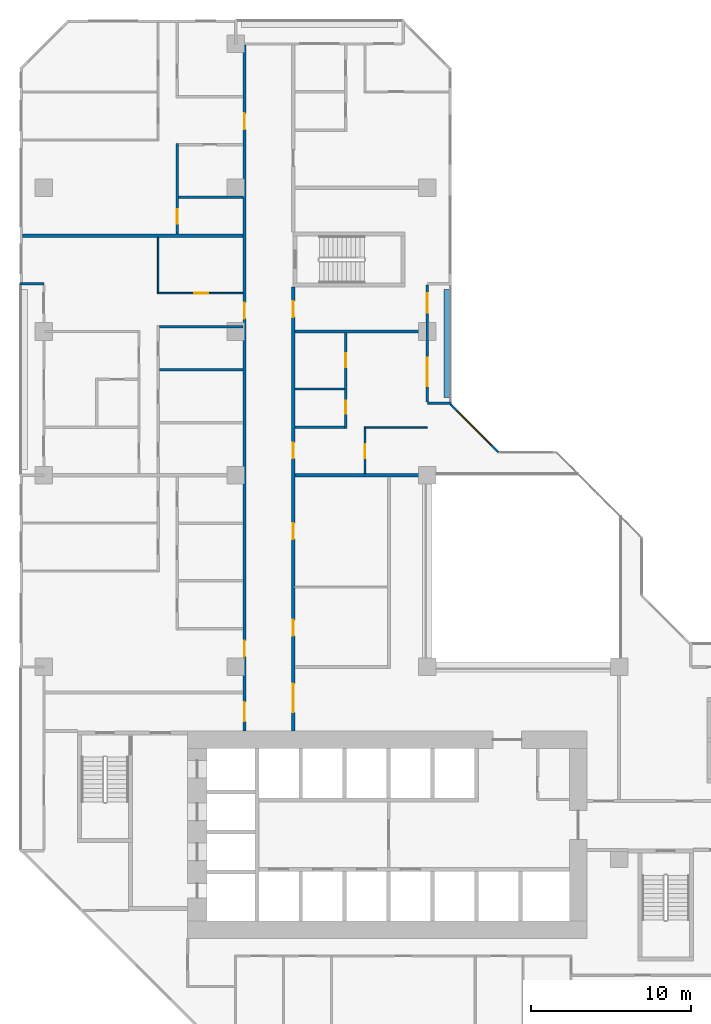
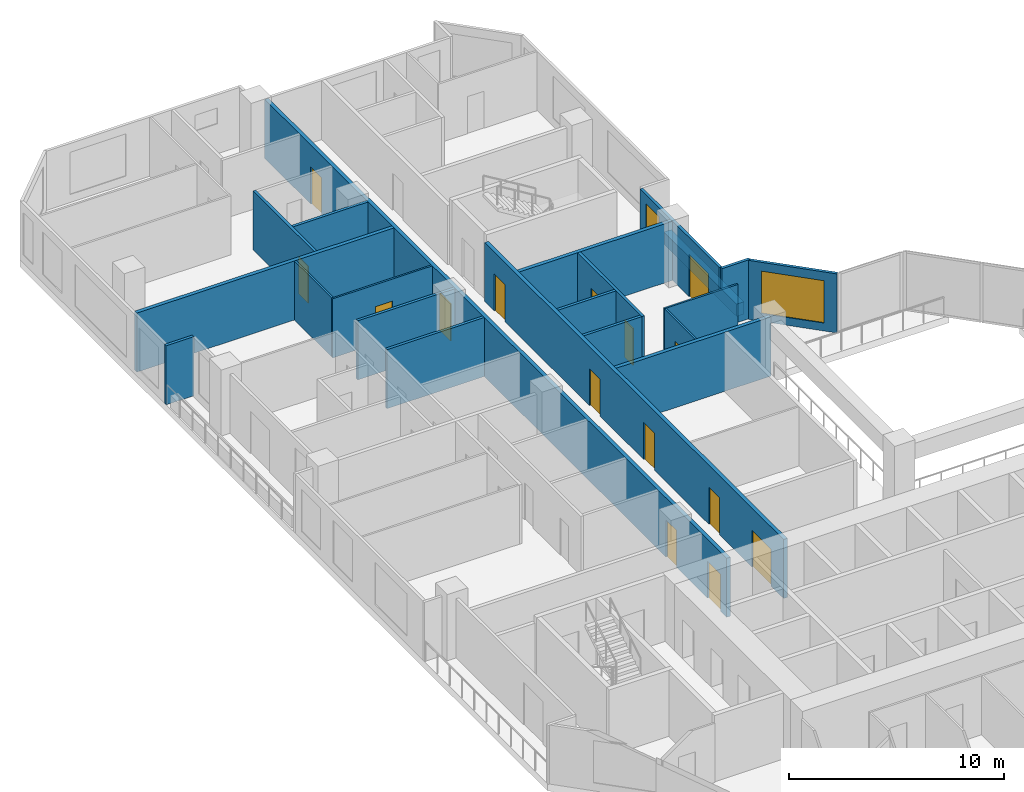
# One storey, part 9 of 15: 21 walls, 15 doors, 2 windows, 17 openings.
"""IFC4 building model written with IfcOpenShell, lengths in metres."""

from ifc_helpers import new_model, si_unit, direction, frame, frame_2d, origin, place, context, subcontext, project, spatial, rectangle, extrude, material, layer, layer_set, type_object, element, fill, save


model = new_model("IFC4")

# Units and contexts
model_context = context("Model", 3, precision=1e-05, world=origin(), true_north=direction((0.0, 1.0)))
body_context = subcontext(model_context, "Body", "Model", "MODEL_VIEW")
ifc_project = project(units=[si_unit("LENGTHUNIT", "METRE"), si_unit("AREAUNIT", "SQUARE_METRE"), si_unit("VOLUMEUNIT", "CUBIC_METRE"), si_unit("PLANEANGLEUNIT", "RADIAN"), si_unit("MASSUNIT", "GRAM", prefix="KILO")], contexts=[model_context])

# Site, building, storey
site_placement = place(None, origin())
site = spatial("IfcSite", under=ifc_project, at=site_placement, CompositionType="ELEMENT")
building_placement = place(site_placement, origin())
building = spatial("IfcBuilding", under=site, at=building_placement, Name="Chenar Terraces", CompositionType="ELEMENT")
storey_placement = place(building_placement, frame((0.0, 0.0, 45.14990234375)))
storey = spatial("IfcBuildingStorey", under=building, at=storey_placement, Name="L08", CompositionType="ELEMENT", Elevation=45.14990234375)

# Wall, openings, doors
ifc_material_1 = material(Name="Gypsum board on steel studs with fire boards", Category="steel")
ifc_layer_1 = layer(ifc_material_1, 0.199951171875)
ifc_layer_set_1 = layer_set([ifc_layer_1], Name="Gypsum board on steel studs with fire boards")
wall_type_1 = type_object("IfcWallType", Name="Corridor wall 200", PredefinedType="PARTITIONING", material=ifc_layer_set_1)
wall_1_placement = place(storey_placement, frame((12.550048828125, 20.0, 0.0), z_axis=(0.0, 0.0, 1.0), x_axis=(0.0, 1.0, 0.0)))
wall_1 = element("IfcWall", 1, at=wall_1_placement, inside=storey, type_object=wall_type_1, Name="Partition L08-036", PredefinedType="PARTITIONING", context=body_context, shape_type="SweptSolid", body=[
    extrude(rectangle(XDim=42.926025390625, YDim=0.199951171875, at=frame_2d((21.462890625, 0.0))), origin(), (0.0, 0.0, 1.0), 3.35009765625),
])
opening_1_placement = place(wall_1_placement, frame((25.800048828125, 0.0, 0.0)))
opening_1 = element("IfcOpeningElement", 2, at=opening_1_placement, cuts=wall_1, Name="Opening DL08-40", PredefinedType="OPENING", context=body_context, shape_type="SweptSolid", body=[
    extrude(rectangle(XDim=1.0, YDim=2.10009765625, at=frame_2d((0.5, 1.050048828125))), frame((0.0, 0.10986328125, 0.0), z_axis=(0.0, -1.0, 0.0), x_axis=(1.0, 0.0, 0.0)), (0.0, 0.0, 1.0), 0.219970703125),
])
opening_2_placement = place(wall_1_placement, frame((37.64990234375, 0.0, 0.0)))
opening_2 = element("IfcOpeningElement", 3, at=opening_2_placement, cuts=wall_1, Name="Opening DL08-46", PredefinedType="OPENING", context=body_context, shape_type="SweptSolid", body=[
    extrude(rectangle(XDim=1.0, YDim=2.10009765625, at=frame_2d((0.5, 1.050048828125))), frame((0.0, 0.10986328125, 0.0), z_axis=(0.0, -1.0, 0.0), x_axis=(1.0, 0.0, 0.0)), (0.0, 0.0, 1.0), 0.219970703125),
])
opening_3_placement = place(wall_1_placement, frame((0.60009765625, 0.0, 0.0)))
opening_3 = element("IfcOpeningElement", 4, at=opening_3_placement, cuts=wall_1, Name="Opening DL08-49", PredefinedType="OPENING", context=body_context, shape_type="SweptSolid", body=[
    extrude(rectangle(XDim=1.199951171875, YDim=2.10009765625, at=frame_2d((0.60009765625, 1.050048828125))), frame((0.0, 0.10986328125, 0.0), z_axis=(0.0, -1.0, 0.0), x_axis=(1.0, 0.0, 0.0)), (0.0, 0.0, 1.0), 0.219970703125),
])
opening_4_placement = place(wall_1_placement, frame((4.64990234375, 0.0, 0.0)))
opening_4 = element("IfcOpeningElement", 5, at=opening_4_placement, cuts=wall_1, Name="Opening DL08-69", PredefinedType="OPENING", context=body_context, shape_type="SweptSolid", body=[
    extrude(rectangle(XDim=1.0, YDim=2.10009765625, at=frame_2d((0.5, 1.050048828125))), frame((0.0, 0.10986328125, 0.0), z_axis=(0.0, -1.0, 0.0), x_axis=(1.0, 0.0, 0.0)), (0.0, 0.0, 1.0), 0.219970703125),
])
ifc_material_2 = material(Name="Steel-framed fire-resisting door leaf", Category="steel")
door_type_1 = type_object("IfcDoorType", Name="Fire door FD30S 1000 x 2100", OperationType="SINGLE_SWING_LEFT", PredefinedType="DOOR", material=ifc_material_2)
door_1_placement = place(opening_1_placement, origin())
door_1 = element("IfcDoor", 6, at=door_1_placement, inside=storey, type_object=door_type_1, Name="Door DL08-40", OperationType="SINGLE_SWING_LEFT", OverallHeight=2.10009765625, OverallWidth=1.0, PredefinedType="DOOR", context=body_context, shape_type="SweptSolid", body=[
    extrude(rectangle(XDim=1.0, YDim=2.10009765625, at=frame_2d((0.5, 1.050048828125))), frame((0.0, 0.02490234375, 0.0), z_axis=(0.0, -1.0, 0.0), x_axis=(1.0, 0.0, 0.0)), (0.0, 0.0, 1.0), 0.050048828125),
])
fill(opening_1, door_1)
door_2_placement = place(opening_2_placement, origin())
door_2 = element("IfcDoor", 7, at=door_2_placement, inside=storey, type_object=door_type_1, Name="Door DL08-46", OperationType="SINGLE_SWING_LEFT", OverallHeight=2.10009765625, OverallWidth=1.0, PredefinedType="DOOR", context=body_context, shape_type="SweptSolid", body=[
    extrude(rectangle(XDim=1.0, YDim=2.10009765625, at=frame_2d((0.5, 1.050048828125))), frame((0.0, 0.02490234375, 0.0), z_axis=(0.0, -1.0, 0.0), x_axis=(1.0, 0.0, 0.0)), (0.0, 0.0, 1.0), 0.050048828125),
])
fill(opening_2, door_2)
door_3_placement = place(opening_4_placement, origin())
door_3 = element("IfcDoor", 8, at=door_3_placement, inside=storey, type_object=door_type_1, Name="Door DL08-69", OperationType="SINGLE_SWING_LEFT", OverallHeight=2.10009765625, OverallWidth=1.0, PredefinedType="DOOR", context=body_context, shape_type="SweptSolid", body=[
    extrude(rectangle(XDim=1.0, YDim=2.10009765625, at=frame_2d((0.5, 1.050048828125))), frame((0.0, 0.02490234375, 0.0), z_axis=(0.0, -1.0, 0.0), x_axis=(1.0, 0.0, 0.0)), (0.0, 0.0, 1.0), 0.050048828125),
])
fill(opening_4, door_3)
ifc_material_3 = material(Name="Steel-framed fire-resisting door leaf", Category="steel")
door_type_2 = type_object("IfcDoorType", Name="Fire door FD30S 1200 x 2100", OperationType="SINGLE_SWING_LEFT", PredefinedType="DOOR", material=ifc_material_3)
door_4_placement = place(opening_3_placement, origin())
door_4 = element("IfcDoor", 9, at=door_4_placement, inside=storey, type_object=door_type_2, Name="Door DL08-49", OperationType="SINGLE_SWING_RIGHT", OverallHeight=2.10009765625, OverallWidth=1.199951171875, PredefinedType="DOOR", context=body_context, shape_type="SweptSolid", body=[
    extrude(rectangle(XDim=1.199951171875, YDim=2.10009765625, at=frame_2d((0.60009765625, 1.050048828125))), frame((0.0, 0.02490234375, 0.0), z_axis=(0.0, -1.0, 0.0), x_axis=(1.0, 0.0, 0.0)), (0.0, 0.0, 1.0), 0.050048828125),
])
fill(opening_3, door_4)

wall_2_placement = place(storey_placement, frame((15.60009765625, 20.0, 0.0), z_axis=(0.0, 0.0, 1.0), x_axis=(0.0, 1.0, 0.0)))
wall_2 = element("IfcWall", 10, at=wall_2_placement, inside=storey, type_object=wall_type_1, Name="Partition L08-038", PredefinedType="PARTITIONING", context=body_context, shape_type="SweptSolid", body=[
    extrude(rectangle(XDim=27.77490234375, YDim=0.199951171875, at=frame_2d((13.887451171875, 0.0))), origin(), (0.0, 0.0, 1.0), 3.35009765625),
])
opening_5_placement = place(wall_2_placement, frame((5.949951171875, 0.0, 0.0)))
opening_5 = element("IfcOpeningElement", 11, at=opening_5_placement, cuts=wall_2, Name="Opening DL08-1", PredefinedType="OPENING", context=body_context, shape_type="SweptSolid", body=[
    extrude(rectangle(XDim=1.0, YDim=2.10009765625, at=frame_2d((0.5, 1.050048828125))), frame((0.0, 0.10986328125, 0.0), z_axis=(0.0, -1.0, 0.0), x_axis=(1.0, 0.0, 0.0)), (0.0, 0.0, 1.0), 0.219970703125),
])
opening_6_placement = place(wall_2_placement, frame((12.0, 0.0, 0.0)))
opening_6 = element("IfcOpeningElement", 12, at=opening_6_placement, cuts=wall_2, Name="Opening DL08-2", PredefinedType="OPENING", context=body_context, shape_type="SweptSolid", body=[
    extrude(rectangle(XDim=1.0, YDim=2.10009765625, at=frame_2d((0.5, 1.050048828125))), frame((0.0, 0.10986328125, 0.0), z_axis=(0.0, -1.0, 0.0), x_axis=(1.0, 0.0, 0.0)), (0.0, 0.0, 1.0), 0.219970703125),
])
opening_7_placement = place(wall_2_placement, frame((17.050048828125, 0.0, 0.0)))
opening_7 = element("IfcOpeningElement", 13, at=opening_7_placement, cuts=wall_2, Name="Opening DL08-28", PredefinedType="OPENING", context=body_context, shape_type="SweptSolid", body=[
    extrude(rectangle(XDim=1.0, YDim=2.10009765625, at=frame_2d((0.5, 1.050048828125))), frame((0.0, 0.10986328125, 0.0), z_axis=(0.0, -1.0, 0.0), x_axis=(1.0, 0.0, 0.0)), (0.0, 0.0, 1.0), 0.219970703125),
])
opening_8_placement = place(wall_2_placement, frame((1.14990234375, 0.0, 0.0)))
opening_8 = element("IfcOpeningElement", 14, at=opening_8_placement, cuts=wall_2, Name="Opening DL08-48", PredefinedType="OPENING", context=body_context, shape_type="SweptSolid", body=[
    extrude(rectangle(XDim=1.800048828125, YDim=2.10009765625, at=frame_2d((0.89990234375, 1.050048828125))), frame((0.0, 0.10986328125, 0.0), z_axis=(0.0, -1.0, 0.0), x_axis=(1.0, 0.0, 0.0)), (0.0, 0.0, 1.0), 0.219970703125),
])
opening_9_placement = place(wall_2_placement, frame((25.89990234375, 0.0, 0.0)))
opening_9 = element("IfcOpeningElement", 15, at=opening_9_placement, cuts=wall_2, Name="Opening DL08-51", PredefinedType="OPENING", context=body_context, shape_type="SweptSolid", body=[
    extrude(rectangle(XDim=1.0, YDim=2.10009765625, at=frame_2d((0.5, 1.050048828125))), frame((0.0, 0.10986328125, 0.0), z_axis=(0.0, -1.0, 0.0), x_axis=(1.0, 0.0, 0.0)), (0.0, 0.0, 1.0), 0.219970703125),
])
ifc_material_4 = material(Name="Steel-framed fire-resisting door leaf", Category="steel")
door_type_3 = type_object("IfcDoorType", Name="Fire door FD60 1000 x 2100", OperationType="SINGLE_SWING_LEFT", PredefinedType="DOOR", material=ifc_material_4)
door_5_placement = place(opening_5_placement, frame((1.0, 0.0, 0.0), z_axis=(0.0, 0.0, 1.0), x_axis=(-1.0, 0.0, 0.0)))
door_5 = element("IfcDoor", 16, at=door_5_placement, inside=storey, type_object=door_type_3, Name="Door DL08-1", OperationType="SINGLE_SWING_LEFT", OverallHeight=2.10009765625, OverallWidth=1.0, PredefinedType="DOOR", context=body_context, shape_type="SweptSolid", body=[
    extrude(rectangle(XDim=1.0, YDim=2.10009765625, at=frame_2d((0.5, 1.050048828125))), frame((0.0, 0.02490234375, 0.0), z_axis=(0.0, -1.0, 0.0), x_axis=(1.0, 0.0, 0.0)), (0.0, 0.0, 1.0), 0.050048828125),
])
fill(opening_5, door_5)
door_6_placement = place(opening_6_placement, frame((1.0, 0.0, 0.0), z_axis=(0.0, 0.0, 1.0), x_axis=(-1.0, 0.0, 0.0)))
door_6 = element("IfcDoor", 17, at=door_6_placement, inside=storey, type_object=door_type_3, Name="Door DL08-2", OperationType="SINGLE_SWING_LEFT", OverallHeight=2.10009765625, OverallWidth=1.0, PredefinedType="DOOR", context=body_context, shape_type="SweptSolid", body=[
    extrude(rectangle(XDim=1.0, YDim=2.10009765625, at=frame_2d((0.5, 1.050048828125))), frame((0.0, 0.02490234375, 0.0), z_axis=(0.0, -1.0, 0.0), x_axis=(1.0, 0.0, 0.0)), (0.0, 0.0, 1.0), 0.050048828125),
])
fill(opening_6, door_6)
door_7_placement = place(opening_7_placement, frame((1.0, 0.0, 0.0), z_axis=(0.0, 0.0, 1.0), x_axis=(-1.0, 0.0, 0.0)))
door_7 = element("IfcDoor", 18, at=door_7_placement, inside=storey, type_object=door_type_3, Name="Door DL08-28", OperationType="SINGLE_SWING_LEFT", OverallHeight=2.10009765625, OverallWidth=1.0, PredefinedType="DOOR", context=body_context, shape_type="SweptSolid", body=[
    extrude(rectangle(XDim=1.0, YDim=2.10009765625, at=frame_2d((0.5, 1.050048828125))), frame((0.0, 0.02490234375, 0.0), z_axis=(0.0, -1.0, 0.0), x_axis=(1.0, 0.0, 0.0)), (0.0, 0.0, 1.0), 0.050048828125),
])
fill(opening_7, door_7)
door_8_placement = place(opening_9_placement, frame((1.0, 0.0, 0.0), z_axis=(0.0, 0.0, 1.0), x_axis=(-1.0, 0.0, 0.0)))
door_8 = element("IfcDoor", 19, at=door_8_placement, inside=storey, type_object=door_type_3, Name="Door DL08-51", OperationType="SINGLE_SWING_RIGHT", OverallHeight=2.10009765625, OverallWidth=1.0, PredefinedType="DOOR", context=body_context, shape_type="SweptSolid", body=[
    extrude(rectangle(XDim=1.0, YDim=2.10009765625, at=frame_2d((0.5, 1.050048828125))), frame((0.0, 0.02490234375, 0.0), z_axis=(0.0, -1.0, 0.0), x_axis=(1.0, 0.0, 0.0)), (0.0, 0.0, 1.0), 0.050048828125),
])
fill(opening_9, door_8)
ifc_material_5 = material(Name="Steel-framed fire-resisting door leaf", Category="steel")
door_type_4 = type_object("IfcDoorType", Name="Fire double door FD60 1800 x 2100", OperationType="DOUBLE_DOOR_SINGLE_SWING", PredefinedType="DOOR", material=ifc_material_5)
door_9_placement = place(opening_8_placement, frame((1.800048828125, 0.0, 0.0), z_axis=(0.0, 0.0, 1.0), x_axis=(-1.0, 0.0, 0.0)))
door_9 = element("IfcDoor", 20, at=door_9_placement, inside=storey, type_object=door_type_4, Name="Door DL08-48", OperationType="DOUBLE_DOOR_SINGLE_SWING", OverallHeight=2.10009765625, OverallWidth=1.800048828125, PredefinedType="DOOR", context=body_context, shape_type="SweptSolid", body=[
    extrude(rectangle(XDim=1.800048828125, YDim=2.10009765625, at=frame_2d((0.89990234375, 1.050048828125))), frame((0.0, 0.02490234375, 0.0), z_axis=(0.0, -1.0, 0.0), x_axis=(1.0, 0.0, 0.0)), (0.0, 0.0, 1.0), 0.050048828125),
])
fill(opening_8, door_9)

# Wall, openings, window, door
ifc_material_6 = material(Name="Aluminium framed glazing", Category="aluminium")
ifc_layer_2 = layer(ifc_material_6, 0.14990234375)
ifc_layer_set_2 = layer_set([ifc_layer_2], Name="Aluminium framed glazing")
wall_type_2 = type_object("IfcWallType", Name="Glazed loggia back wall 150", PredefinedType="SOLIDWALL", material=ifc_layer_set_2)
wall_3_placement = place(storey_placement, frame((24.0, 40.574951171875, 0.0), z_axis=(0.0, 0.0, 1.0), x_axis=(0.0, 1.0, 0.0)))
wall_3 = element("IfcWall", 21, at=wall_3_placement, inside=storey, type_object=wall_type_2, Name="Glazed loggia back wall", PredefinedType="SOLIDWALL", context=body_context, shape_type="SweptSolid", body=[
    extrude(rectangle(XDim=7.35009765625, YDim=0.14990234375, at=frame_2d((3.675048828125, 0.0))), origin(), (0.0, 0.0, 1.0), 3.35009765625),
])
opening_10_placement = place(wall_3_placement, frame((0.987548828125, 0.0, 0.0)))
opening_10 = element("IfcOpeningElement", 22, at=opening_10_placement, cuts=wall_3, Name="Opening DL08-G3", PredefinedType="OPENING", context=body_context, shape_type="SweptSolid", body=[
    extrude(rectangle(XDim=1.800048828125, YDim=2.39990234375, at=frame_2d((0.89990234375, 1.199951171875))), frame((0.0, 0.0849609375, 0.0), z_axis=(0.0, -1.0, 0.0), x_axis=(1.0, 0.0, 0.0)), (0.0, 0.0, 1.0), 0.169921875),
])
opening_11_placement = place(wall_3_placement, frame((5.612548828125, 0.0, 0.449951171875)))
opening_11 = element("IfcOpeningElement", 23, at=opening_11_placement, cuts=wall_3, Name="Opening W120x240", PredefinedType="OPENING", context=body_context, shape_type="SweptSolid", body=[
    extrude(rectangle(XDim=1.199951171875, YDim=2.39990234375, at=frame_2d((0.60009765625, 1.199951171875))), frame((0.0, 0.0849609375, 0.0), z_axis=(0.0, -1.0, 0.0), x_axis=(1.0, 0.0, 0.0)), (0.0, 0.0, 1.0), 0.169921875),
])
ifc_material_7 = material(Name="Low emissivity double glazing, aluminium frame", Category="aluminium")
window_type_1 = type_object("IfcWindowType", Name="Fixed light 1200 x 2400", PartitioningType="SINGLE_PANEL", PredefinedType="WINDOW", material=ifc_material_7)
window_1_placement = place(opening_11_placement, origin())
window_1 = element("IfcWindow", 24, at=window_1_placement, inside=storey, type_object=window_type_1, Name="Window", OverallHeight=2.39990234375, OverallWidth=1.199951171875, PartitioningType="SINGLE_PANEL", PredefinedType="WINDOW", context=body_context, shape_type="SweptSolid", body=[
    extrude(rectangle(XDim=1.199951171875, YDim=2.39990234375, at=frame_2d((0.60009765625, 1.199951171875))), frame((0.0, 0.030029296875, 0.0), z_axis=(0.0, -1.0, 0.0), x_axis=(1.0, 0.0, 0.0)), (0.0, 0.0, 1.0), 0.06005859375),
])
fill(opening_11, window_1)
ifc_material_8 = material(Name="Low emissivity double glazing, aluminium frame", Category="aluminium")
door_type_5 = type_object("IfcDoorType", Name="Loggia glazed double door 1800 x 2400", OperationType="DOUBLE_DOOR_SINGLE_SWING", PredefinedType="DOOR", material=ifc_material_8)
door_10_placement = place(opening_10_placement, frame((1.800048828125, 0.0, 0.0), z_axis=(0.0, 0.0, 1.0), x_axis=(-1.0, 0.0, 0.0)))
door_10 = element("IfcDoor", 25, at=door_10_placement, inside=storey, type_object=door_type_5, Name="Loggia glazed door", OperationType="DOUBLE_DOOR_SINGLE_SWING", OverallHeight=2.39990234375, OverallWidth=1.800048828125, PredefinedType="DOOR", context=body_context, shape_type="SweptSolid", body=[
    extrude(rectangle(XDim=1.800048828125, YDim=2.39990234375, at=frame_2d((0.89990234375, 1.199951171875))), frame((0.0, 0.02490234375, 0.0), z_axis=(0.0, -1.0, 0.0), x_axis=(1.0, 0.0, 0.0)), (0.0, 0.0, 1.0), 0.050048828125),
])
fill(opening_10, door_10)

# Wall, opening, door
ifc_material_9 = material(Name="Gypsum board on steel studs", Category="steel")
ifc_layer_3 = layer(ifc_material_9, 0.10009765625)
ifc_layer_set_3 = layer_set([ifc_layer_3], Name="Gypsum board on steel studs")
wall_type_3 = type_object("IfcWallType", Name="Gypsum partition 100", PredefinedType="PARTITIONING", material=ifc_layer_set_3)
wall_4_placement = place(storey_placement, frame((7.10009765625, 47.39990234375, 0.0), z_axis=(0.0, 0.0, 1.0), x_axis=(1.0, 0.0, 0.0)))
wall_4 = element("IfcWall", 26, at=wall_4_placement, inside=storey, type_object=wall_type_3, Name="Partition L08-015", PredefinedType="PARTITIONING", context=body_context, shape_type="SweptSolid", body=[
    extrude(rectangle(XDim=5.349853515625, YDim=0.10009765625, at=frame_2d((2.6748046875, 0.0))), origin(), (0.0, 0.0, 1.0), 3.35009765625),
])
opening_12_placement = place(wall_4_placement, frame((2.300048828125, 0.0, 0.0)))
opening_12 = element("IfcOpeningElement", 27, at=opening_12_placement, cuts=wall_4, Name="Opening DL08-37", PredefinedType="OPENING", context=body_context, shape_type="SweptSolid", body=[
    extrude(rectangle(XDim=0.89990234375, YDim=2.10009765625, at=frame_2d((0.449951171875, 1.050048828125))), frame((0.0, 0.06005859375, 0.0), z_axis=(0.0, -1.0, 0.0), x_axis=(1.0, 0.0, 0.0)), (0.0, 0.0, 1.0), 0.1201171875),
])
ifc_material_10 = material(Name="Veneered timber door leaf", Category="wood")
door_type_6 = type_object("IfcDoorType", Name="Door 900 x 2100", OperationType="SINGLE_SWING_LEFT", PredefinedType="DOOR", material=ifc_material_10)
door_11_placement = place(opening_12_placement, origin())
door_11 = element("IfcDoor", 28, at=door_11_placement, inside=storey, type_object=door_type_6, Name="Door DL08-37", OperationType="SINGLE_SWING_LEFT", OverallHeight=2.10009765625, OverallWidth=0.89990234375, PredefinedType="DOOR", context=body_context, shape_type="SweptSolid", body=[
    extrude(rectangle(XDim=0.89990234375, YDim=2.10009765625, at=frame_2d((0.449951171875, 1.050048828125))), frame((0.0, 0.02490234375, 0.0), z_axis=(0.0, -1.0, 0.0), x_axis=(1.0, 0.0, 0.0)), (0.0, 0.0, 1.0), 0.050048828125),
])
fill(opening_12, door_11)

# Walls
wall_5_placement = place(storey_placement, frame((7.14990234375, 47.449951171875, 0.0), z_axis=(0.0, 0.0, 1.0), x_axis=(0.0, 1.0, 0.0)))
element("IfcWall", 29, at=wall_5_placement, inside=storey, type_object=wall_type_3, Name="Partition L08-018", PredefinedType="PARTITIONING", context=body_context, shape_type="SweptSolid", body=[
    extrude(rectangle(XDim=3.449951171875, YDim=0.10009765625, at=frame_2d((1.72509765625, 0.0))), origin(), (0.0, 0.0, 1.0), 3.35009765625),
])
wall_6_placement = place(storey_placement, frame((20.050048828125, 39.0, 0.0), z_axis=(0.0, 0.0, 1.0), x_axis=(1.0, 0.0, 0.0)))
element("IfcWall", 30, at=wall_6_placement, inside=storey, type_object=wall_type_3, Name="Partition L08-052", PredefinedType="PARTITIONING", context=body_context, shape_type="SweptSolid", body=[
    extrude(rectangle(XDim=3.949951171875, YDim=0.10009765625, at=frame_2d((1.97509765625, 0.0))), origin(), (0.0, 0.0, 1.0), 3.35009765625),
])

# Wall, opening, door
wall_7_placement = place(storey_placement, frame((20.10009765625, 36.10009765625, 0.0), z_axis=(0.0, 0.0, 1.0), x_axis=(0.0, 1.0, 0.0)))
wall_7 = element("IfcWall", 31, at=wall_7_placement, inside=storey, type_object=wall_type_3, Name="Partition L08-054", PredefinedType="PARTITIONING", context=body_context, shape_type="SweptSolid", body=[
    extrude(rectangle(XDim=2.849853515625, YDim=0.10009765625, at=frame_2d((1.4248046875, 0.0))), origin(), (0.0, 0.0, 1.0), 3.35009765625),
])
opening_13_placement = place(wall_7_placement, frame((0.949951171875, 0.0, 0.0)))
opening_13 = element("IfcOpeningElement", 32, at=opening_13_placement, cuts=wall_7, Name="Opening DL08-26", PredefinedType="OPENING", context=body_context, shape_type="SweptSolid", body=[
    extrude(rectangle(XDim=0.89990234375, YDim=2.10009765625, at=frame_2d((0.449951171875, 1.050048828125))), frame((0.0, 0.06005859375, 0.0), z_axis=(0.0, -1.0, 0.0), x_axis=(1.0, 0.0, 0.0)), (0.0, 0.0, 1.0), 0.1201171875),
])
door_12_placement = place(opening_13_placement, frame((0.89990234375, 0.0, 0.0), z_axis=(0.0, 0.0, 1.0), x_axis=(-1.0, 0.0, 0.0)))
door_12 = element("IfcDoor", 33, at=door_12_placement, inside=storey, type_object=door_type_6, Name="Door DL08-26", OperationType="SINGLE_SWING_LEFT", OverallHeight=2.10009765625, OverallWidth=0.89990234375, PredefinedType="DOOR", context=body_context, shape_type="SweptSolid", body=[
    extrude(rectangle(XDim=0.89990234375, YDim=2.10009765625, at=frame_2d((0.449951171875, 1.050048828125))), frame((0.0, 0.02490234375, 0.0), z_axis=(0.0, -1.0, 0.0), x_axis=(1.0, 0.0, 0.0)), (0.0, 0.0, 1.0), 0.050048828125),
])
fill(opening_13, door_12)

# Walls
ifc_material_11 = material(Name="Terracotta cladding on insulated backing", Category="masonry")
ifc_layer_4 = layer(ifc_material_11, 0.14990234375)
ifc_layer_set_4 = layer_set([ifc_layer_4], Name="Terracotta cladding on insulated backing")
wall_type_4 = type_object("IfcWallType", Name="Loggia return wall 150", PredefinedType="SOLIDWALL", material=ifc_layer_set_4)
for number, where, z_axis, x_axis, name in (
    (34, (25.5, 40.5, 0.0), (0.0, 0.0, 1.0), (-1.0, 0.0, 0.0), "Loggia return wall"),
    (35, (-1.5, 48.0, 0.0), (0.0, 0.0, 1.0), (1.0, 0.0, 0.0), "Loggia return wall"),
):
    element("IfcWall", number, at=place(storey_placement, frame(where, z_axis=z_axis, x_axis=x_axis)), inside=storey, type_object=wall_type_4, Name=name, PredefinedType="SOLIDWALL", context=body_context, shape_type="SweptSolid", body=[
        extrude(rectangle(XDim=1.5, YDim=0.14990234375, at=frame_2d((0.75, 0.0))), origin(), (0.0, 0.0, 1.0), 3.35009765625),
    ])

# Wall, opening, window
ifc_material_12 = material(Name="Terracotta cladding on insulated backing", Category="masonry")
ifc_layer_5 = layer(ifc_material_12, 0.14990234375)
ifc_layer_set_5 = layer_set([ifc_layer_5], Name="Terracotta cladding on insulated backing")
wall_type_5 = type_object("IfcWallType", Name="Terracotta rainscreen wall 150", PredefinedType="SOLIDWALL", material=ifc_layer_set_5)
wall_8_placement = place(storey_placement, frame((28.447021484375, 37.447021484375, 0.0), z_axis=(0.0, 0.0, 1.0), x_axis=(-0.707106781187, 0.707106781187, 0.0)))
wall_8 = element("IfcWall", 36, at=wall_8_placement, inside=storey, type_object=wall_type_5, Name="Terracotta rainscreen wall", PredefinedType="SOLIDWALL", context=body_context, shape_type="SweptSolid", body=[
    extrude(rectangle(XDim=4.24267578125, YDim=0.14990234375, at=frame_2d((2.121337890625, 0.0))), origin(), (0.0, 0.0, 1.0), 3.35009765625),
])
opening_14_placement = place(wall_8_placement, frame((0.621337890625, 0.0, 0.449951171875)))
opening_14 = element("IfcOpeningElement", 37, at=opening_14_placement, cuts=wall_8, Name="Opening W300x240", PredefinedType="OPENING", context=body_context, shape_type="SweptSolid", body=[
    extrude(rectangle(XDim=3.0, YDim=2.39990234375, at=frame_2d((1.5, 1.199951171875))), frame((0.0, 0.0849609375, 0.0), z_axis=(0.0, -1.0, 0.0), x_axis=(1.0, 0.0, 0.0)), (0.0, 0.0, 1.0), 0.169921875),
])
ifc_material_13 = material(Name="Low emissivity double glazing, aluminium frame", Category="aluminium")
window_type_2 = type_object("IfcWindowType", Name="Fixed light 3000 x 2400", PartitioningType="SINGLE_PANEL", PredefinedType="WINDOW", material=ifc_material_13)
window_2_placement = place(opening_14_placement, origin())
window_2 = element("IfcWindow", 38, at=window_2_placement, inside=storey, type_object=window_type_2, Name="Window", OverallHeight=2.39990234375, OverallWidth=3.0, PartitioningType="SINGLE_PANEL", PredefinedType="WINDOW", context=body_context, shape_type="SweptSolid", body=[
    extrude(rectangle(XDim=3.0, YDim=2.39990234375, at=frame_2d((1.5, 1.199951171875))), frame((0.0, 0.030029296875, 0.0), z_axis=(0.0, -1.0, 0.0), x_axis=(1.0, 0.0, 0.0)), (0.0, 0.0, 1.0), 0.06005859375),
])
fill(opening_14, window_2)

# Walls
ifc_material_14 = material(Name="Twin gypsum board on steel studs with mineral wool", Category="steel")
ifc_layer_6 = layer(ifc_material_14, 0.199951171875)
ifc_layer_set_6 = layer_set([ifc_layer_6], Name="Twin gypsum board on steel studs with mineral wool")
wall_type_6 = type_object("IfcWallType", Name="Unit demising wall 200", PredefinedType="PARTITIONING", material=ifc_layer_set_6)
wall_9_placement = place(storey_placement, frame((-1.35009765625, 51.0, 0.0), z_axis=(0.0, 0.0, 1.0), x_axis=(1.0, 0.0, 0.0)))
element("IfcWall", 39, at=wall_9_placement, inside=storey, type_object=wall_type_6, Name="Partition L08-005", PredefinedType="PARTITIONING", context=body_context, shape_type="SweptSolid", body=[
    extrude(rectangle(XDim=13.800048828125, YDim=0.199951171875, at=frame_2d((6.89990234375, 0.0))), origin(), (0.0, 0.0, 1.0), 3.35009765625),
])
wall_10_placement = place(storey_placement, frame((15.699951171875, 36.0, 0.0), z_axis=(0.0, 0.0, 1.0), x_axis=(1.0, 0.0, 0.0)))
element("IfcWall", 40, at=wall_10_placement, inside=storey, type_object=wall_type_6, Name="Partition L08-042", PredefinedType="PARTITIONING", context=body_context, shape_type="SweptSolid", body=[
    extrude(rectangle(XDim=8.300048828125, YDim=0.199951171875, at=frame_2d((4.14990234375, 0.0))), origin(), (0.0, 0.0, 1.0), 3.35009765625),
])
wall_11_placement = place(storey_placement, frame((15.699951171875, 45.0, 0.0), z_axis=(0.0, 0.0, 1.0), x_axis=(1.0, 0.0, 0.0)))
element("IfcWall", 41, at=wall_11_placement, inside=storey, type_object=wall_type_6, Name="Partition L08-045", PredefinedType="PARTITIONING", context=body_context, shape_type="SweptSolid", body=[
    extrude(rectangle(XDim=8.22607421875, YDim=0.199951171875, at=frame_2d((4.113037109375, 0.0))), origin(), (0.0, 0.0, 1.0), 3.35009765625),
])
ifc_material_15 = material(Name="GRP planter trough")
ifc_layer_7 = layer(ifc_material_15, 0.39990234375)
ifc_layer_set_7 = layer_set([ifc_layer_7], Name="GRP planter trough")
wall_type_7 = type_object("IfcWallType", Name="Vertical greenery planter 400", PredefinedType="SOLIDWALL", material=ifc_layer_set_7)
wall_12_placement = place(storey_placement, frame((25.22900390625, 40.875, 0.0), z_axis=(0.0, 0.0, 1.0), x_axis=(0.0, 1.0, 0.0)))
element("IfcWall", 42, at=wall_12_placement, inside=storey, type_object=wall_type_7, Name="Vertical greenery planter", PredefinedType="SOLIDWALL", context=body_context, shape_type="SweptSolid", body=[
    extrude(rectangle(XDim=6.75, YDim=0.39990234375, at=frame_2d((3.375, 0.0))), origin(), (0.0, 0.0, 1.0), 0.7001953125),
])
ifc_material_16 = material(Name="Moisture-resistant gypsum board on steel studs", Category="steel")
ifc_layer_8 = layer(ifc_material_16, 0.14990234375)
ifc_layer_set_8 = layer_set([ifc_layer_8], Name="Moisture-resistant gypsum board on steel studs")
wall_type_8 = type_object("IfcWallType", Name="Wet-room partition 150", PredefinedType="PARTITIONING", material=ifc_layer_set_8)
for number, where, z_axis, x_axis, name in (
    (43, (7.22509765625, 42.60009765625, 0.0), (0.0, 0.0, 1.0), (1.0, 0.0, 0.0), "Partition L08-021"),
    (44, (7.22509765625, 45.300048828125, 0.0), (0.0, 0.0, 1.0), (1.0, 0.0, 0.0), "Partition L08-022"),
):
    element("IfcWall", number, at=place(storey_placement, frame(where, z_axis=z_axis, x_axis=x_axis)), inside=storey, type_object=wall_type_8, Name=name, PredefinedType="PARTITIONING", context=body_context, shape_type="SweptSolid", body=[
        extrude(rectangle(XDim=5.224853515625, YDim=0.14990234375, at=frame_2d((2.6123046875, 0.0))), origin(), (0.0, 0.0, 1.0), 3.35009765625),
    ])

# Wall, opening, door
wall_13_placement = place(storey_placement, frame((8.35009765625, 51.10009765625, 0.0), z_axis=(0.0, 0.0, 1.0), x_axis=(0.0, 1.0, 0.0)))
wall_13 = element("IfcWall", 45, at=wall_13_placement, inside=storey, type_object=wall_type_8, Name="Partition L08-025", PredefinedType="PARTITIONING", context=body_context, shape_type="SweptSolid", body=[
    extrude(rectangle(XDim=5.6748046875, YDim=0.14990234375, at=frame_2d((2.83740234375, 0.0))), origin(), (0.0, 0.0, 1.0), 3.35009765625),
])
opening_15_placement = place(wall_13_placement, frame((0.64990234375, 0.0, 0.0)))
opening_15 = element("IfcOpeningElement", 46, at=opening_15_placement, cuts=wall_13, Name="Opening DL08-44", PredefinedType="OPENING", context=body_context, shape_type="SweptSolid", body=[
    extrude(rectangle(XDim=0.89990234375, YDim=2.10009765625, at=frame_2d((0.449951171875, 1.050048828125))), frame((0.0, 0.0849609375, 0.0), z_axis=(0.0, -1.0, 0.0), x_axis=(1.0, 0.0, 0.0)), (0.0, 0.0, 1.0), 0.169921875),
])
door_13_placement = place(opening_15_placement, frame((0.89990234375, 0.0, 0.0), z_axis=(0.0, 0.0, 1.0), x_axis=(-1.0, 0.0, 0.0)))
door_13 = element("IfcDoor", 47, at=door_13_placement, inside=storey, type_object=door_type_6, Name="Door DL08-44", OperationType="SINGLE_SWING_LEFT", OverallHeight=2.10009765625, OverallWidth=0.89990234375, PredefinedType="DOOR", context=body_context, shape_type="SweptSolid", body=[
    extrude(rectangle(XDim=0.89990234375, YDim=2.10009765625, at=frame_2d((0.449951171875, 1.050048828125))), frame((0.0, 0.02490234375, 0.0), z_axis=(0.0, -1.0, 0.0), x_axis=(1.0, 0.0, 0.0)), (0.0, 0.0, 1.0), 0.050048828125),
])
fill(opening_15, door_13)

# Walls
wall_14_placement = place(storey_placement, frame((8.425048828125, 53.39990234375, 0.0), z_axis=(0.0, 0.0, 1.0), x_axis=(1.0, 0.0, 0.0)))
element("IfcWall", 48, at=wall_14_placement, inside=storey, type_object=wall_type_8, Name="Partition L08-030", PredefinedType="PARTITIONING", context=body_context, shape_type="SweptSolid", body=[
    extrude(rectangle(XDim=4.02490234375, YDim=0.14990234375, at=frame_2d((2.012451171875, 0.0))), origin(), (0.0, 0.0, 1.0), 3.35009765625),
])
for number, where, z_axis, x_axis, name in (
    (49, (15.699951171875, 39.0, 0.0), (0.0, 0.0, 1.0), (1.0, 0.0, 0.0), "Partition L08-043"),
    (50, (15.699951171875, 41.39990234375, 0.0), (0.0, 0.0, 1.0), (1.0, 0.0, 0.0), "Partition L08-044"),
):
    element("IfcWall", number, at=place(storey_placement, frame(where, z_axis=z_axis, x_axis=x_axis)), inside=storey, type_object=wall_type_8, Name=name, PredefinedType="PARTITIONING", context=body_context, shape_type="SweptSolid", body=[
        extrude(rectangle(XDim=3.125, YDim=0.14990234375, at=frame_2d((1.5625, 0.0))), origin(), (0.0, 0.0, 1.0), 3.35009765625),
    ])

# Wall, openings, doors
wall_15_placement = place(storey_placement, frame((18.89990234375, 38.925048828125, 0.0), z_axis=(0.0, 0.0, 1.0), x_axis=(0.0, 1.0, 0.0)))
wall_15 = element("IfcWall", 51, at=wall_15_placement, inside=storey, type_object=wall_type_8, Name="Partition L08-050", PredefinedType="PARTITIONING", context=body_context, shape_type="SweptSolid", body=[
    extrude(rectangle(XDim=5.974853515625, YDim=0.14990234375, at=frame_2d((2.9873046875, 0.0))), origin(), (0.0, 0.0, 1.0), 3.35009765625),
])
opening_16_placement = place(wall_15_placement, frame((0.925048828125, 0.0, 0.0)))
opening_16 = element("IfcOpeningElement", 52, at=opening_16_placement, cuts=wall_15, Name="Opening DL08-25", PredefinedType="OPENING", context=body_context, shape_type="SweptSolid", body=[
    extrude(rectangle(XDim=0.800048828125, YDim=2.10009765625, at=frame_2d((0.39990234375, 1.050048828125))), frame((0.0, 0.0849609375, 0.0), z_axis=(0.0, -1.0, 0.0), x_axis=(1.0, 0.0, 0.0)), (0.0, 0.0, 1.0), 0.169921875),
])
opening_17_placement = place(wall_15_placement, frame((3.824951171875, 0.0, 0.0)))
opening_17 = element("IfcOpeningElement", 53, at=opening_17_placement, cuts=wall_15, Name="Opening DL08-27", PredefinedType="OPENING", context=body_context, shape_type="SweptSolid", body=[
    extrude(rectangle(XDim=0.89990234375, YDim=2.10009765625, at=frame_2d((0.449951171875, 1.050048828125))), frame((0.0, 0.0849609375, 0.0), z_axis=(0.0, -1.0, 0.0), x_axis=(1.0, 0.0, 0.0)), (0.0, 0.0, 1.0), 0.169921875),
])
ifc_material_17 = material(Name="Veneered timber door leaf", Category="wood")
door_type_7 = type_object("IfcDoorType", Name="Door 800 x 2100", OperationType="SINGLE_SWING_LEFT", PredefinedType="DOOR", material=ifc_material_17)
door_14_placement = place(opening_16_placement, origin())
door_14 = element("IfcDoor", 54, at=door_14_placement, inside=storey, type_object=door_type_7, Name="Door DL08-25", OperationType="SINGLE_SWING_RIGHT", OverallHeight=2.10009765625, OverallWidth=0.800048828125, PredefinedType="DOOR", context=body_context, shape_type="SweptSolid", body=[
    extrude(rectangle(XDim=0.800048828125, YDim=2.10009765625, at=frame_2d((0.39990234375, 1.050048828125))), frame((0.0, 0.02490234375, 0.0), z_axis=(0.0, -1.0, 0.0), x_axis=(1.0, 0.0, 0.0)), (0.0, 0.0, 1.0), 0.050048828125),
])
fill(opening_16, door_14)
door_15_placement = place(opening_17_placement, origin())
door_15 = element("IfcDoor", 55, at=door_15_placement, inside=storey, type_object=door_type_6, Name="Door DL08-27", OperationType="SINGLE_SWING_RIGHT", OverallHeight=2.10009765625, OverallWidth=0.89990234375, PredefinedType="DOOR", context=body_context, shape_type="SweptSolid", body=[
    extrude(rectangle(XDim=0.89990234375, YDim=2.10009765625, at=frame_2d((0.449951171875, 1.050048828125))), frame((0.0, 0.02490234375, 0.0), z_axis=(0.0, -1.0, 0.0), x_axis=(1.0, 0.0, 0.0)), (0.0, 0.0, 1.0), 0.050048828125),
])
fill(opening_17, door_15)

save(model, "model.ifc")
